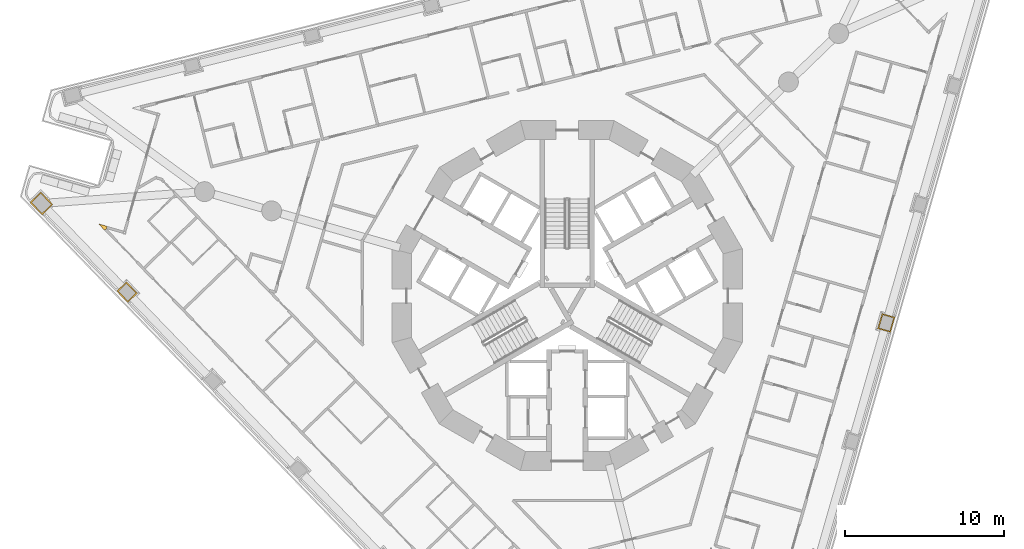
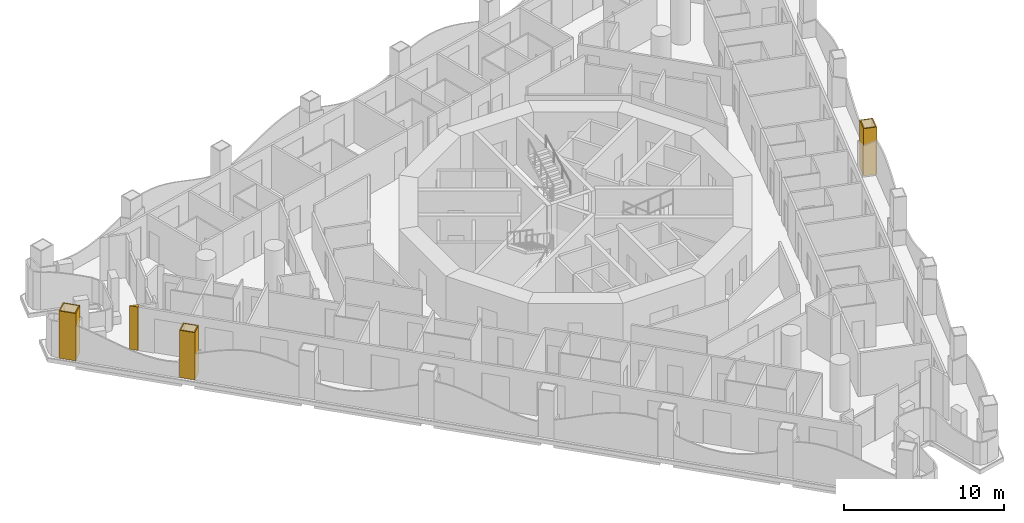
# One storey, part 16 of 20: 4 coverings.
"""IFC4 building model written with IfcOpenShell, lengths in metres."""

from ifc_helpers import new_model, si_unit, direction, frame, origin, place, context, subcontext, project, spatial, polyline, outline, extrude, material, layer, layer_set, type_object, element, save


model = new_model("IFC4")

# Units and contexts
model_context = context("Model", 3, precision=1e-05, world=origin(), true_north=direction((0.0, 1.0)))
body_context = subcontext(model_context, "Body", "Model", "MODEL_VIEW")
ifc_project = project(units=[si_unit("LENGTHUNIT", "METRE"), si_unit("AREAUNIT", "SQUARE_METRE"), si_unit("VOLUMEUNIT", "CUBIC_METRE"), si_unit("PLANEANGLEUNIT", "RADIAN"), si_unit("MASSUNIT", "GRAM", prefix="KILO")], contexts=[model_context])

# Site, building, storey
site_placement = place(None, origin())
site = spatial("IfcSite", under=ifc_project, at=site_placement, CompositionType="ELEMENT")
building_placement = place(site_placement, origin())
building = spatial("IfcBuilding", under=site, at=building_placement, Name="Trine Commons Tower", CompositionType="ELEMENT")
storey_placement = place(building_placement, frame((0.0, 0.0, 101.699951171875)))
storey = spatial("IfcBuildingStorey", under=building, at=storey_placement, Name="L25", CompositionType="ELEMENT", Elevation=101.699951171875)

# Coverings
ifc_material_1 = material(Name="Aluminium-framed insulated wall panel", Category="aluminium")
ifc_layer_1 = layer(ifc_material_1, 0.14990234375)
ifc_layer_set_1 = layer_set([ifc_layer_1], Name="Aluminium-framed insulated wall panel")
covering_type_1 = type_object("IfcCoveringType", Name="Glazing corner post, aluminium", PredefinedType="CLADDING", material=ifc_layer_set_1)
covering_1_placement = place(storey_placement, origin())
element("IfcCovering", 1, at=covering_1_placement, inside=storey, type_object=covering_type_1, Name="Glazing corner post 3-01", PredefinedType="CLADDING", context=body_context, shape_type="SweptSolid", body=[
    extrude(outline(polyline([(50.897216796875, 66.611083984375), (51.005126953125, 66.71533203125), (51.04638671875, 66.859619140625), (50.50830078125, 67.013916015625), (50.897216796875, 66.611083984375)])), origin(), (0.0, 0.0, 1.0), 3.300048828125),
])
ifc_material_2 = material(Name="Limestone, honed", Category="masonry")
ifc_layer_2 = layer(ifc_material_2, 0.074951171875)
ifc_layer_set_2 = layer_set([ifc_layer_2], Name="Limestone, honed")
covering_type_2 = type_object("IfcCoveringType", Name="Limestone column cladding 75", PredefinedType="CLADDING", material=ifc_layer_set_2)
covering_2_placement = place(storey_placement, origin())
element("IfcCovering", 2, at=covering_2_placement, inside=storey, type_object=covering_type_2, Name="Limestone pier cladding 3-07", PredefinedType="CLADDING", context=body_context, shape_type="SweptSolid", body=[
    extrude(outline(polyline([(52.265380859375, 63.373291015625), (51.654052734375, 62.78271484375), (52.3486328125, 62.0634765625), (52.960205078125, 62.65380859375), (52.265380859375, 63.373291015625)]), holes=[polyline([(52.263671875, 63.26708984375), (51.760009765625, 62.781005859375), (52.3505859375, 62.16943359375), (52.85400390625, 62.65576171875), (52.263671875, 63.26708984375)])]), origin(), (0.0, 0.0, 1.0), 3.60009765625),
])
covering_3_placement = place(storey_placement, origin())
element("IfcCovering", 3, at=covering_3_placement, inside=storey, type_object=covering_type_2, Name="Limestone pier cladding 3-08", PredefinedType="CLADDING", context=body_context, shape_type="SweptSolid", body=[
    extrude(outline(polyline([(46.877685546875, 69.0244140625), (46.194580078125, 68.364501953125), (46.95849609375, 67.572998046875), (47.641845703125, 68.23291015625), (46.877685546875, 69.0244140625)]), holes=[polyline([(46.8759765625, 68.918212890625), (46.300537109375, 68.362548828125), (46.96044921875, 67.67919921875), (47.535888671875, 68.23486328125), (46.8759765625, 68.918212890625)])]), origin(), (0.0, 0.0, 1.0), 3.60009765625),
])
covering_4_placement = place(storey_placement, origin())
element("IfcCovering", 4, at=covering_4_placement, inside=storey, type_object=covering_type_2, Name="Limestone pier cladding 3-20", PredefinedType="CLADDING", context=body_context, shape_type="SweptSolid", body=[
    extrude(outline(polyline([(100.61865234375, 61.14306640625), (99.801513671875, 61.377197265625), (99.52587890625, 60.416015625), (100.343017578125, 60.181640625), (100.61865234375, 61.14306640625)]), holes=[polyline([(100.52587890625, 61.091552734375), (99.85302734375, 61.284423828125), (99.61865234375, 60.46728515625), (100.29150390625, 60.2744140625), (100.52587890625, 61.091552734375)])]), origin(), (0.0, 0.0, 1.0), 3.60009765625),
])

save(model, "model.ifc")
